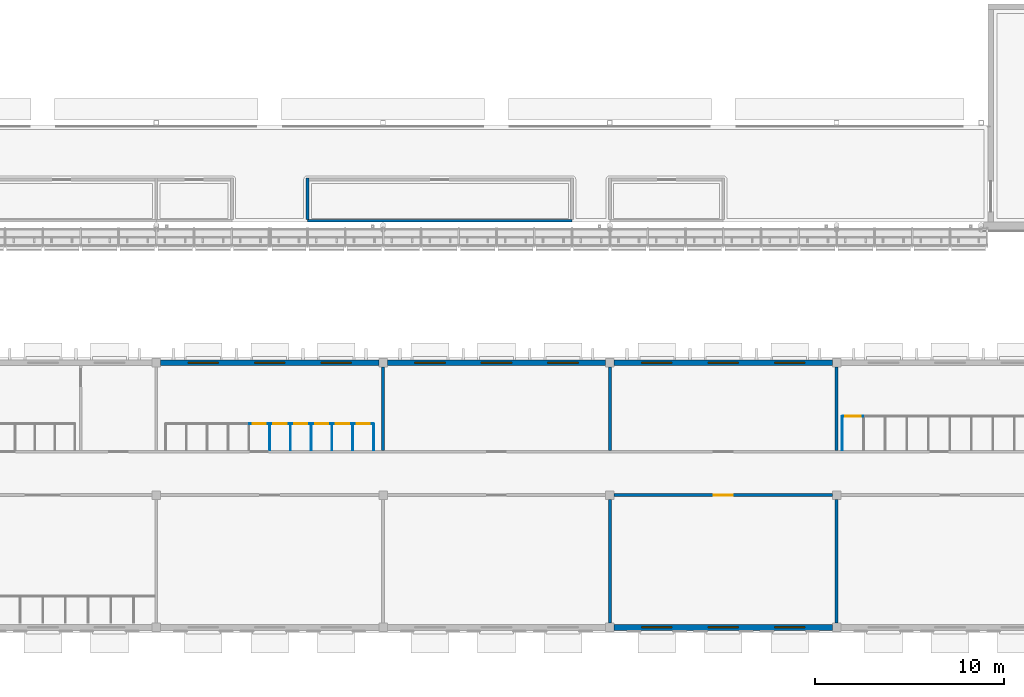
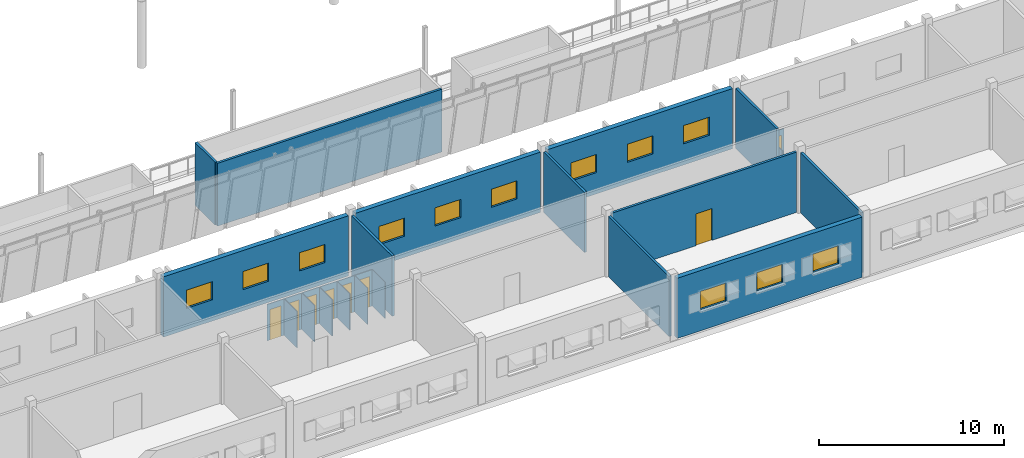
# One storey, part 68 of 115: 26 walls, 12 windows, 8 doors, 20 openings.
"""IFC4 building model written with IfcOpenShell, lengths in metres."""

from ifc_helpers import new_model, si_unit, direction, frame, frame_2d, origin, place, context, subcontext, project, spatial, rectangle, extrude, material, layer, layer_set, type_object, element, fill, save


model = new_model("IFC4")

# Units and contexts
model_context = context("Model", 3, precision=1e-05, world=origin(), true_north=direction((0.0, 1.0)))
body_context = subcontext(model_context, "Body", "Model", "MODEL_VIEW")
ifc_project = project(units=[si_unit("LENGTHUNIT", "METRE"), si_unit("AREAUNIT", "SQUARE_METRE"), si_unit("VOLUMEUNIT", "CUBIC_METRE"), si_unit("PLANEANGLEUNIT", "RADIAN"), si_unit("MASSUNIT", "GRAM", prefix="KILO")], contexts=[model_context])

# Site, building, storey
site_placement = place(None, origin())
site = spatial("IfcSite", under=ifc_project, at=site_placement, CompositionType="ELEMENT")
building_placement = place(site_placement, origin())
building = spatial("IfcBuilding", under=site, at=building_placement, Name="Windward Yard Aquatics Centre", CompositionType="ELEMENT")
storey_placement = place(building_placement, frame((0.0, 0.0, 5.0)))
storey = spatial("IfcBuildingStorey", under=building, at=storey_placement, Name="L01", CompositionType="ELEMENT", Elevation=5.0)

# Wall, opening, door
ifc_material_1 = material(Name="Concrete masonry unit plastered", Category="masonry")
ifc_layer_1 = layer(ifc_material_1, 0.14990234375)
ifc_layer_set_1 = layer_set([ifc_layer_1], Name="C block partition 150")
wall_type_1 = type_object("IfcWallType", Name="C block partition 150", PredefinedType="PARTITIONING", material=ifc_layer_set_1)
wall_1_placement = place(storey_placement, frame((120.22509765625, 12.0, 0.0), z_axis=(0.0, 0.0, 1.0), x_axis=(1.0, 0.0, 0.0)))
wall_1 = element("IfcWall", 1, at=wall_1_placement, inside=storey, type_object=wall_type_1, Name="C.W.L01.SP.S.7", PredefinedType="PARTITIONING", context=body_context, shape_type="SweptSolid", body=[
    extrude(rectangle(XDim=11.5498046875, YDim=0.14990234375, at=frame_2d((5.77490234375, 0.0))), origin(), (0.0, 0.0, 1.0), 3.97998046875),
])
opening_1_placement = place(wall_1_placement, frame((5.27490234375, 0.0, 0.0)))
opening_1 = element("IfcOpeningElement", 2, at=opening_1_placement, cuts=wall_1, Name="Opening C1006", PredefinedType="OPENING", context=body_context, shape_type="SweptSolid", body=[
    extrude(rectangle(XDim=1.0, YDim=2.10009765625, at=frame_2d((0.5, 1.050048828125))), frame((0.0, 0.0849609375, 0.0), z_axis=(0.0, -1.0, 0.0), x_axis=(1.0, 0.0, 0.0)), (0.0, 0.0, 1.0), 0.169921875),
])
ifc_material_2 = material(Name="Timber door leaf in steel frame", Category="steel")
door_type_1 = type_object("IfcDoorType", Name="C door 1000X2100 FD30S", OperationType="SINGLE_SWING_LEFT", PredefinedType="DOOR", material=ifc_material_2)
door_1_placement = place(opening_1_placement, origin())
door_1 = element("IfcDoor", 3, at=door_1_placement, inside=storey, type_object=door_type_1, Name="Door C1006", OperationType="SINGLE_SWING_LEFT", OverallHeight=2.10009765625, OverallWidth=1.0, PredefinedType="DOOR", context=body_context, shape_type="SweptSolid", body=[
    extrude(rectangle(XDim=1.0, YDim=2.10009765625, at=frame_2d((0.5, 1.050048828125))), frame((0.0, 0.02490234375, 0.0), z_axis=(0.0, -1.0, 0.0), x_axis=(1.0, 0.0, 0.0)), (0.0, 0.0, 1.0), 0.050048828125),
])
fill(opening_1, door_1)

# Walls
for number, where, z_axis, x_axis, name in (
    (4, (120.0, 5.22509765625, 0.0), (0.0, 0.0, 1.0), (0.0, 1.0, 0.0), "C.W.L01.SD.68.1"),
    (5, (132.0, 5.22509765625, 0.0), (0.0, 0.0, 1.0), (0.0, 1.0, 0.0), "C.W.L01.SD.80.1"),
):
    element("IfcWall", number, at=place(storey_placement, frame(where, z_axis=z_axis, x_axis=x_axis)), inside=storey, type_object=wall_type_1, Name=name, PredefinedType="PARTITIONING", context=body_context, shape_type="SweptSolid", body=[
        extrude(rectangle(XDim=6.5498046875, YDim=0.14990234375, at=frame_2d((3.27490234375, 0.0))), origin(), (0.0, 0.0, 1.0), 3.97998046875),
    ])
for number, where, z_axis, x_axis, name in (
    (6, (108.0, 14.375, 0.0), (0.0, 0.0, 1.0), (0.0, 1.0, 0.0), "C.W.L01.ND.56.1"),
    (7, (120.0, 14.375, 0.0), (0.0, 0.0, 1.0), (0.0, 1.0, 0.0), "C.W.L01.ND.68.1"),
    (8, (132.0, 14.375, 0.0), (0.0, 0.0, 1.0), (0.0, 1.0, 0.0), "C.W.L01.ND.80.1"),
):
    element("IfcWall", number, at=place(storey_placement, frame(where, z_axis=z_axis, x_axis=x_axis)), inside=storey, type_object=wall_type_1, Name=name, PredefinedType="PARTITIONING", context=body_context, shape_type="SweptSolid", body=[
        extrude(rectangle(XDim=4.39990234375, YDim=0.14990234375, at=frame_2d((2.199951171875, 0.0))), origin(), (0.0, 0.0, 1.0), 3.97998046875),
    ])
ifc_material_3 = material(Name="High-pressure laminate panel on stainless frame")
ifc_layer_2 = layer(ifc_material_3, 0.0400390625)
ifc_layer_set_2 = layer_set([ifc_layer_2], Name="C cubicle panel 40")
wall_type_2 = type_object("IfcWallType", Name="C cubicle panel 40", PredefinedType="PARTITIONING", material=ifc_layer_set_2)
for number, where, z_axis, x_axis, name in (
    (9, (102.0, 14.375, 0.0), (0.0, 0.0, 1.0), (0.0, 1.0, 0.0), "C.W.L01.G.P5"),
    (10, (103.10009765625, 14.375, 0.0), (0.0, 0.0, 1.0), (0.0, 1.0, 0.0), "C.W.L01.G.P6"),
    (11, (104.199951171875, 14.375, 0.0), (0.0, 0.0, 1.0), (0.0, 1.0, 0.0), "C.W.L01.G.P7"),
    (12, (105.300048828125, 14.375, 0.0), (0.0, 0.0, 1.0), (0.0, 1.0, 0.0), "C.W.L01.G.P8"),
    (13, (106.39990234375, 14.375, 0.0), (0.0, 0.0, 1.0), (0.0, 1.0, 0.0), "C.W.L01.G.P9"),
    (14, (107.5, 14.375, 0.0), (0.0, 0.0, 1.0), (0.0, 1.0, 0.0), "C.W.L01.G.P10"),
):
    element("IfcWall", number, at=place(storey_placement, frame(where, z_axis=z_axis, x_axis=x_axis)), inside=storey, type_object=wall_type_2, Name=name, PredefinedType="PARTITIONING", context=body_context, shape_type="SweptSolid", body=[
        extrude(rectangle(XDim=1.39990234375, YDim=0.0400390625, at=frame_2d((0.699951171875, 0.0))), origin(), (0.0, 0.0, 1.0), 2.39990234375),
    ])

# Wall, opening, door
wall_2_placement = place(storey_placement, frame((100.919921875, 15.77490234375, 0.0), z_axis=(0.0, 0.0, 1.0), x_axis=(1.0, 0.0, 0.0)))
wall_2 = element("IfcWall", 15, at=wall_2_placement, inside=storey, type_object=wall_type_2, Name="C.W.L01.G.F4", PredefinedType="PARTITIONING", context=body_context, shape_type="SweptSolid", body=[
    extrude(rectangle(XDim=1.06005859375, YDim=0.0400390625, at=frame_2d((0.530029296875, 0.0))), origin(), (0.0, 0.0, 1.0), 2.39990234375),
])
opening_2_placement = place(wall_2_placement, frame((0.179931640625, 0.0, 0.0)))
opening_2 = element("IfcOpeningElement", 16, at=opening_2_placement, cuts=wall_2, Name="Opening C1085", PredefinedType="OPENING", context=body_context, shape_type="SweptSolid", body=[
    extrude(rectangle(XDim=0.699951171875, YDim=2.0, at=frame_2d((0.35009765625, 1.0))), frame((0.0, 0.030029296875, 0.0), z_axis=(0.0, -1.0, 0.0), x_axis=(1.0, 0.0, 0.0)), (0.0, 0.0, 1.0), 0.06005859375),
])
ifc_material_4 = material(Name="High-pressure laminate door leaf")
door_type_2 = type_object("IfcDoorType", Name="C door 700X2000 NOT RATED", OperationType="SINGLE_SWING_LEFT", PredefinedType="DOOR", material=ifc_material_4)
door_2_placement = place(opening_2_placement, origin())
door_2 = element("IfcDoor", 17, at=door_2_placement, inside=storey, type_object=door_type_2, Name="Cubicle door G5", OperationType="SINGLE_SWING_LEFT", OverallHeight=2.0, OverallWidth=0.699951171875, PredefinedType="DOOR", context=body_context, shape_type="SweptSolid", body=[
    extrude(rectangle(XDim=0.699951171875, YDim=2.0, at=frame_2d((0.35009765625, 1.0))), frame((0.0, 0.019775390625, 0.0), z_axis=(0.0, -1.0, 0.0), x_axis=(1.0, 0.0, 0.0)), (0.0, 0.0, 1.0), 0.03955078125),
])
fill(opening_2, door_2)

wall_3_placement = place(storey_placement, frame((102.02001953125, 15.77490234375, 0.0), z_axis=(0.0, 0.0, 1.0), x_axis=(1.0, 0.0, 0.0)))
wall_3 = element("IfcWall", 18, at=wall_3_placement, inside=storey, type_object=wall_type_2, Name="C.W.L01.G.F5", PredefinedType="PARTITIONING", context=body_context, shape_type="SweptSolid", body=[
    extrude(rectangle(XDim=1.06005859375, YDim=0.0400390625, at=frame_2d((0.530029296875, 0.0))), origin(), (0.0, 0.0, 1.0), 2.39990234375),
])
opening_3_placement = place(wall_3_placement, frame((0.179931640625, 0.0, 0.0)))
opening_3 = element("IfcOpeningElement", 19, at=opening_3_placement, cuts=wall_3, Name="Opening C1086", PredefinedType="OPENING", context=body_context, shape_type="SweptSolid", body=[
    extrude(rectangle(XDim=0.699951171875, YDim=2.0, at=frame_2d((0.35009765625, 1.0))), frame((0.0, 0.030029296875, 0.0), z_axis=(0.0, -1.0, 0.0), x_axis=(1.0, 0.0, 0.0)), (0.0, 0.0, 1.0), 0.06005859375),
])
door_3_placement = place(opening_3_placement, origin())
door_3 = element("IfcDoor", 20, at=door_3_placement, inside=storey, type_object=door_type_2, Name="Cubicle door G6", OperationType="SINGLE_SWING_LEFT", OverallHeight=2.0, OverallWidth=0.699951171875, PredefinedType="DOOR", context=body_context, shape_type="SweptSolid", body=[
    extrude(rectangle(XDim=0.699951171875, YDim=2.0, at=frame_2d((0.35009765625, 1.0))), frame((0.0, 0.019775390625, 0.0), z_axis=(0.0, -1.0, 0.0), x_axis=(1.0, 0.0, 0.0)), (0.0, 0.0, 1.0), 0.03955078125),
])
fill(opening_3, door_3)

wall_4_placement = place(storey_placement, frame((103.1201171875, 15.77490234375, 0.0), z_axis=(0.0, 0.0, 1.0), x_axis=(1.0, 0.0, 0.0)))
wall_4 = element("IfcWall", 21, at=wall_4_placement, inside=storey, type_object=wall_type_2, Name="C.W.L01.G.F6", PredefinedType="PARTITIONING", context=body_context, shape_type="SweptSolid", body=[
    extrude(rectangle(XDim=1.059814453125, YDim=0.0400390625, at=frame_2d((0.52978515625, 0.0))), origin(), (0.0, 0.0, 1.0), 2.39990234375),
])
opening_4_placement = place(wall_4_placement, frame((0.179931640625, 0.0, 0.0)))
opening_4 = element("IfcOpeningElement", 22, at=opening_4_placement, cuts=wall_4, Name="Opening C1087", PredefinedType="OPENING", context=body_context, shape_type="SweptSolid", body=[
    extrude(rectangle(XDim=0.699951171875, YDim=2.0, at=frame_2d((0.35009765625, 1.0))), frame((0.0, 0.030029296875, 0.0), z_axis=(0.0, -1.0, 0.0), x_axis=(1.0, 0.0, 0.0)), (0.0, 0.0, 1.0), 0.06005859375),
])
door_4_placement = place(opening_4_placement, origin())
door_4 = element("IfcDoor", 23, at=door_4_placement, inside=storey, type_object=door_type_2, Name="Cubicle door G7", OperationType="SINGLE_SWING_LEFT", OverallHeight=2.0, OverallWidth=0.699951171875, PredefinedType="DOOR", context=body_context, shape_type="SweptSolid", body=[
    extrude(rectangle(XDim=0.699951171875, YDim=2.0, at=frame_2d((0.35009765625, 1.0))), frame((0.0, 0.019775390625, 0.0), z_axis=(0.0, -1.0, 0.0), x_axis=(1.0, 0.0, 0.0)), (0.0, 0.0, 1.0), 0.03955078125),
])
fill(opening_4, door_4)

wall_5_placement = place(storey_placement, frame((104.219970703125, 15.77490234375, 0.0), z_axis=(0.0, 0.0, 1.0), x_axis=(1.0, 0.0, 0.0)))
wall_5 = element("IfcWall", 24, at=wall_5_placement, inside=storey, type_object=wall_type_2, Name="C.W.L01.G.F7", PredefinedType="PARTITIONING", context=body_context, shape_type="SweptSolid", body=[
    extrude(rectangle(XDim=1.06005859375, YDim=0.0400390625, at=frame_2d((0.530029296875, 0.0))), origin(), (0.0, 0.0, 1.0), 2.39990234375),
])
opening_5_placement = place(wall_5_placement, frame((0.179931640625, 0.0, 0.0)))
opening_5 = element("IfcOpeningElement", 25, at=opening_5_placement, cuts=wall_5, Name="Opening C1088", PredefinedType="OPENING", context=body_context, shape_type="SweptSolid", body=[
    extrude(rectangle(XDim=0.699951171875, YDim=2.0, at=frame_2d((0.35009765625, 1.0))), frame((0.0, 0.030029296875, 0.0), z_axis=(0.0, -1.0, 0.0), x_axis=(1.0, 0.0, 0.0)), (0.0, 0.0, 1.0), 0.06005859375),
])
door_5_placement = place(opening_5_placement, origin())
door_5 = element("IfcDoor", 26, at=door_5_placement, inside=storey, type_object=door_type_2, Name="Cubicle door G8", OperationType="SINGLE_SWING_LEFT", OverallHeight=2.0, OverallWidth=0.699951171875, PredefinedType="DOOR", context=body_context, shape_type="SweptSolid", body=[
    extrude(rectangle(XDim=0.699951171875, YDim=2.0, at=frame_2d((0.35009765625, 1.0))), frame((0.0, 0.019775390625, 0.0), z_axis=(0.0, -1.0, 0.0), x_axis=(1.0, 0.0, 0.0)), (0.0, 0.0, 1.0), 0.03955078125),
])
fill(opening_5, door_5)

wall_6_placement = place(storey_placement, frame((105.320068359375, 15.77490234375, 0.0), z_axis=(0.0, 0.0, 1.0), x_axis=(1.0, 0.0, 0.0)))
wall_6 = element("IfcWall", 27, at=wall_6_placement, inside=storey, type_object=wall_type_2, Name="C.W.L01.G.F8", PredefinedType="PARTITIONING", context=body_context, shape_type="SweptSolid", body=[
    extrude(rectangle(XDim=1.059814453125, YDim=0.0400390625, at=frame_2d((0.52978515625, 0.0))), origin(), (0.0, 0.0, 1.0), 2.39990234375),
])
opening_6_placement = place(wall_6_placement, frame((0.179931640625, 0.0, 0.0)))
opening_6 = element("IfcOpeningElement", 28, at=opening_6_placement, cuts=wall_6, Name="Opening C1089", PredefinedType="OPENING", context=body_context, shape_type="SweptSolid", body=[
    extrude(rectangle(XDim=0.699951171875, YDim=2.0, at=frame_2d((0.35009765625, 1.0))), frame((0.0, 0.030029296875, 0.0), z_axis=(0.0, -1.0, 0.0), x_axis=(1.0, 0.0, 0.0)), (0.0, 0.0, 1.0), 0.06005859375),
])
door_6_placement = place(opening_6_placement, origin())
door_6 = element("IfcDoor", 29, at=door_6_placement, inside=storey, type_object=door_type_2, Name="Cubicle door G9", OperationType="SINGLE_SWING_LEFT", OverallHeight=2.0, OverallWidth=0.699951171875, PredefinedType="DOOR", context=body_context, shape_type="SweptSolid", body=[
    extrude(rectangle(XDim=0.699951171875, YDim=2.0, at=frame_2d((0.35009765625, 1.0))), frame((0.0, 0.019775390625, 0.0), z_axis=(0.0, -1.0, 0.0), x_axis=(1.0, 0.0, 0.0)), (0.0, 0.0, 1.0), 0.03955078125),
])
fill(opening_6, door_6)

wall_7_placement = place(storey_placement, frame((106.419921875, 15.77490234375, 0.0), z_axis=(0.0, 0.0, 1.0), x_axis=(1.0, 0.0, 0.0)))
wall_7 = element("IfcWall", 30, at=wall_7_placement, inside=storey, type_object=wall_type_2, Name="C.W.L01.G.F9", PredefinedType="PARTITIONING", context=body_context, shape_type="SweptSolid", body=[
    extrude(rectangle(XDim=1.06005859375, YDim=0.0400390625, at=frame_2d((0.530029296875, 0.0))), origin(), (0.0, 0.0, 1.0), 2.39990234375),
])
opening_7_placement = place(wall_7_placement, frame((0.179931640625, 0.0, 0.0)))
opening_7 = element("IfcOpeningElement", 31, at=opening_7_placement, cuts=wall_7, Name="Opening C1090", PredefinedType="OPENING", context=body_context, shape_type="SweptSolid", body=[
    extrude(rectangle(XDim=0.699951171875, YDim=2.0, at=frame_2d((0.35009765625, 1.0))), frame((0.0, 0.030029296875, 0.0), z_axis=(0.0, -1.0, 0.0), x_axis=(1.0, 0.0, 0.0)), (0.0, 0.0, 1.0), 0.06005859375),
])
door_7_placement = place(opening_7_placement, origin())
door_7 = element("IfcDoor", 32, at=door_7_placement, inside=storey, type_object=door_type_2, Name="Cubicle door G10", OperationType="SINGLE_SWING_LEFT", OverallHeight=2.0, OverallWidth=0.699951171875, PredefinedType="DOOR", context=body_context, shape_type="SweptSolid", body=[
    extrude(rectangle(XDim=0.699951171875, YDim=2.0, at=frame_2d((0.35009765625, 1.0))), frame((0.0, 0.019775390625, 0.0), z_axis=(0.0, -1.0, 0.0), x_axis=(1.0, 0.0, 0.0)), (0.0, 0.0, 1.0), 0.03955078125),
])
fill(opening_7, door_7)

# Wall
wall_8_placement = place(storey_placement, frame((132.300048828125, 14.375, 0.0), z_axis=(0.0, 0.0, 1.0), x_axis=(0.0, 1.0, 0.0)))
element("IfcWall", 33, at=wall_8_placement, inside=storey, type_object=wall_type_2, Name="C.W.L01.H.P0", PredefinedType="PARTITIONING", context=body_context, shape_type="SweptSolid", body=[
    extrude(rectangle(XDim=1.800048828125, YDim=0.0400390625, at=frame_2d((0.89990234375, 0.0))), origin(), (0.0, 0.0, 1.0), 2.39990234375),
])

# Wall, opening, door
wall_9_placement = place(storey_placement, frame((132.320068359375, 16.175048828125, 0.0), z_axis=(0.0, 0.0, 1.0), x_axis=(1.0, 0.0, 0.0)))
wall_9 = element("IfcWall", 34, at=wall_9_placement, inside=storey, type_object=wall_type_2, Name="C.W.L01.H.F0", PredefinedType="PARTITIONING", context=body_context, shape_type="SweptSolid", body=[
    extrude(rectangle(XDim=1.099853515625, YDim=0.0400390625, at=frame_2d((0.5498046875, 0.0))), origin(), (0.0, 0.0, 1.0), 2.39990234375),
])
opening_8_placement = place(wall_9_placement, frame((0.14990234375, 0.0, 0.0)))
opening_8 = element("IfcOpeningElement", 35, at=opening_8_placement, cuts=wall_9, Name="Opening C1091", PredefinedType="OPENING", context=body_context, shape_type="SweptSolid", body=[
    extrude(rectangle(XDim=0.800048828125, YDim=2.0, at=frame_2d((0.39990234375, 1.0))), frame((0.0, 0.030029296875, 0.0), z_axis=(0.0, -1.0, 0.0), x_axis=(1.0, 0.0, 0.0)), (0.0, 0.0, 1.0), 0.06005859375),
])
door_type_3 = type_object("IfcDoorType", Name="C door 800X2000 NOT RATED", OperationType="SINGLE_SWING_LEFT", PredefinedType="DOOR", material=ifc_material_4)
door_8_placement = place(opening_8_placement, origin())
door_8 = element("IfcDoor", 36, at=door_8_placement, inside=storey, type_object=door_type_3, Name="Cubicle door H1", OperationType="SINGLE_SWING_LEFT", OverallHeight=2.0, OverallWidth=0.800048828125, PredefinedType="DOOR", context=body_context, shape_type="SweptSolid", body=[
    extrude(rectangle(XDim=0.800048828125, YDim=2.0, at=frame_2d((0.39990234375, 1.0))), frame((0.0, 0.019775390625, 0.0), z_axis=(0.0, -1.0, 0.0), x_axis=(1.0, 0.0, 0.0)), (0.0, 0.0, 1.0), 0.03955078125),
])
fill(opening_8, door_8)

# Wall, openings, windows
ifc_material_5 = material(Name="Natural stone cladding", Category="masonry")
ifc_layer_3 = layer(ifc_material_5, 0.04, Name="Cladding")
ifc_material_6 = material(Name="Ventilated air cavity")
ifc_layer_4 = layer(ifc_material_6, 0.04, ventilated=True, Name="Ventilated cavity")
ifc_material_7 = material(Name="Mineral wool insulation")
ifc_layer_5 = layer(ifc_material_7, 0.06, Name="Insulation")
ifc_material_8 = material(Name="Concrete C35/45", Category="concrete")
ifc_layer_6 = layer(ifc_material_8, 0.16, Name="Structure")
ifc_layer_set_3 = layer_set([ifc_layer_3, ifc_layer_4, ifc_layer_5, ifc_layer_6], Name="C stone-faced external wall 300")
wall_type_3 = type_object("IfcWallType", Name="C stone-faced external wall 300", PredefinedType="ELEMENTEDWALL", material=ifc_layer_set_3)
wall_10_placement = place(storey_placement, frame((120.22509765625, 5.0, 0.0), z_axis=(0.0, 0.0, 1.0), x_axis=(1.0, 0.0, 0.0)))
wall_10 = element("IfcWall", 37, at=wall_10_placement, inside=storey, type_object=wall_type_3, Name="C.W.L01.S7", PredefinedType="ELEMENTEDWALL", context=body_context, shape_type="SweptSolid", body=[
    extrude(rectangle(XDim=11.5498046875, YDim=0.300048828125, at=frame_2d((5.77490234375, 0.0))), origin(), (0.0, 0.0, 1.0), 3.97998046875),
])
opening_9_placement = place(wall_10_placement, frame((1.458251953125, 0.0, 1.39990234375)))
opening_9 = element("IfcOpeningElement", 38, at=opening_9_placement, cuts=wall_10, Name="Opening CW1016", PredefinedType="OPENING", context=body_context, shape_type="SweptSolid", body=[
    extrude(rectangle(XDim=1.60009765625, YDim=1.199951171875, at=frame_2d((0.800048828125, 0.60009765625))), frame((0.0, 0.16015625, 0.0), z_axis=(0.0, -1.0, 0.0), x_axis=(1.0, 0.0, 0.0)), (0.0, 0.0, 1.0), 0.320068359375),
])
opening_10_placement = place(wall_10_placement, frame((4.97509765625, 0.0, 1.39990234375)))
opening_10 = element("IfcOpeningElement", 39, at=opening_10_placement, cuts=wall_10, Name="Opening CW1017", PredefinedType="OPENING", context=body_context, shape_type="SweptSolid", body=[
    extrude(rectangle(XDim=1.60009765625, YDim=1.199951171875, at=frame_2d((0.800048828125, 0.60009765625))), frame((0.0, 0.16015625, 0.0), z_axis=(0.0, -1.0, 0.0), x_axis=(1.0, 0.0, 0.0)), (0.0, 0.0, 1.0), 0.320068359375),
])
opening_11_placement = place(wall_10_placement, frame((8.49169921875, 0.0, 1.39990234375)))
opening_11 = element("IfcOpeningElement", 40, at=opening_11_placement, cuts=wall_10, Name="Opening CW1018", PredefinedType="OPENING", context=body_context, shape_type="SweptSolid", body=[
    extrude(rectangle(XDim=1.60009765625, YDim=1.199951171875, at=frame_2d((0.800048828125, 0.60009765625))), frame((0.0, 0.16015625, 0.0), z_axis=(0.0, -1.0, 0.0), x_axis=(1.0, 0.0, 0.0)), (0.0, 0.0, 1.0), 0.320068359375),
])
ifc_material_9 = material(Name="Aluminium framed double glazing", Category="aluminium")
window_type = type_object("IfcWindowType", Name="C window 1600X1200", PartitioningType="SINGLE_PANEL", PredefinedType="WINDOW", material=ifc_material_9)
window_1_placement = place(opening_9_placement, origin())
window_1 = element("IfcWindow", 41, at=window_1_placement, inside=storey, type_object=window_type, Name="Window CW1016", OverallHeight=1.199951171875, OverallWidth=1.60009765625, PartitioningType="SINGLE_PANEL", PredefinedType="WINDOW", context=body_context, shape_type="SweptSolid", body=[
    extrude(rectangle(XDim=1.60009765625, YDim=1.199951171875, at=frame_2d((0.800048828125, 0.60009765625))), frame((0.0, 0.030029296875, 0.0), z_axis=(0.0, -1.0, 0.0), x_axis=(1.0, 0.0, 0.0)), (0.0, 0.0, 1.0), 0.06005859375),
])
fill(opening_9, window_1)
window_2_placement = place(opening_10_placement, origin())
window_2 = element("IfcWindow", 42, at=window_2_placement, inside=storey, type_object=window_type, Name="Window CW1017", OverallHeight=1.199951171875, OverallWidth=1.60009765625, PartitioningType="SINGLE_PANEL", PredefinedType="WINDOW", context=body_context, shape_type="SweptSolid", body=[
    extrude(rectangle(XDim=1.60009765625, YDim=1.199951171875, at=frame_2d((0.800048828125, 0.60009765625))), frame((0.0, 0.030029296875, 0.0), z_axis=(0.0, -1.0, 0.0), x_axis=(1.0, 0.0, 0.0)), (0.0, 0.0, 1.0), 0.06005859375),
])
fill(opening_10, window_2)
window_3_placement = place(opening_11_placement, origin())
window_3 = element("IfcWindow", 43, at=window_3_placement, inside=storey, type_object=window_type, Name="Window CW1018", OverallHeight=1.199951171875, OverallWidth=1.60009765625, PartitioningType="SINGLE_PANEL", PredefinedType="WINDOW", context=body_context, shape_type="SweptSolid", body=[
    extrude(rectangle(XDim=1.60009765625, YDim=1.199951171875, at=frame_2d((0.800048828125, 0.60009765625))), frame((0.0, 0.030029296875, 0.0), z_axis=(0.0, -1.0, 0.0), x_axis=(1.0, 0.0, 0.0)), (0.0, 0.0, 1.0), 0.06005859375),
])
fill(opening_11, window_3)

wall_11_placement = place(storey_placement, frame((96.22509765625, 19.0, 0.0), z_axis=(0.0, 0.0, 1.0), x_axis=(1.0, 0.0, 0.0)))
wall_11 = element("IfcWall", 44, at=wall_11_placement, inside=storey, type_object=wall_type_3, Name="C.W.L01.N5", PredefinedType="ELEMENTEDWALL", context=body_context, shape_type="SweptSolid", body=[
    extrude(rectangle(XDim=11.5498046875, YDim=0.300048828125, at=frame_2d((5.77490234375, 0.0))), origin(), (0.0, 0.0, 1.0), 3.97998046875),
])
opening_12_placement = place(wall_11_placement, frame((1.458251953125, 0.0, 1.39990234375)))
opening_12 = element("IfcOpeningElement", 45, at=opening_12_placement, cuts=wall_11, Name="Opening CW1031", PredefinedType="OPENING", context=body_context, shape_type="SweptSolid", body=[
    extrude(rectangle(XDim=1.60009765625, YDim=1.199951171875, at=frame_2d((0.800048828125, 0.60009765625))), frame((0.0, 0.16015625, 0.0), z_axis=(0.0, -1.0, 0.0), x_axis=(1.0, 0.0, 0.0)), (0.0, 0.0, 1.0), 0.320068359375),
])
opening_13_placement = place(wall_11_placement, frame((4.97509765625, 0.0, 1.39990234375)))
opening_13 = element("IfcOpeningElement", 46, at=opening_13_placement, cuts=wall_11, Name="Opening CW1032", PredefinedType="OPENING", context=body_context, shape_type="SweptSolid", body=[
    extrude(rectangle(XDim=1.60009765625, YDim=1.199951171875, at=frame_2d((0.800048828125, 0.60009765625))), frame((0.0, 0.16015625, 0.0), z_axis=(0.0, -1.0, 0.0), x_axis=(1.0, 0.0, 0.0)), (0.0, 0.0, 1.0), 0.320068359375),
])
opening_14_placement = place(wall_11_placement, frame((8.49169921875, 0.0, 1.39990234375)))
opening_14 = element("IfcOpeningElement", 47, at=opening_14_placement, cuts=wall_11, Name="Opening CW1033", PredefinedType="OPENING", context=body_context, shape_type="SweptSolid", body=[
    extrude(rectangle(XDim=1.60009765625, YDim=1.199951171875, at=frame_2d((0.800048828125, 0.60009765625))), frame((0.0, 0.16015625, 0.0), z_axis=(0.0, -1.0, 0.0), x_axis=(1.0, 0.0, 0.0)), (0.0, 0.0, 1.0), 0.320068359375),
])
window_4_placement = place(opening_12_placement, origin())
window_4 = element("IfcWindow", 48, at=window_4_placement, inside=storey, type_object=window_type, Name="Window CW1031", OverallHeight=1.199951171875, OverallWidth=1.60009765625, PartitioningType="SINGLE_PANEL", PredefinedType="WINDOW", context=body_context, shape_type="SweptSolid", body=[
    extrude(rectangle(XDim=1.60009765625, YDim=1.199951171875, at=frame_2d((0.800048828125, 0.60009765625))), frame((0.0, 0.030029296875, 0.0), z_axis=(0.0, -1.0, 0.0), x_axis=(1.0, 0.0, 0.0)), (0.0, 0.0, 1.0), 0.06005859375),
])
fill(opening_12, window_4)
window_5_placement = place(opening_13_placement, origin())
window_5 = element("IfcWindow", 49, at=window_5_placement, inside=storey, type_object=window_type, Name="Window CW1032", OverallHeight=1.199951171875, OverallWidth=1.60009765625, PartitioningType="SINGLE_PANEL", PredefinedType="WINDOW", context=body_context, shape_type="SweptSolid", body=[
    extrude(rectangle(XDim=1.60009765625, YDim=1.199951171875, at=frame_2d((0.800048828125, 0.60009765625))), frame((0.0, 0.030029296875, 0.0), z_axis=(0.0, -1.0, 0.0), x_axis=(1.0, 0.0, 0.0)), (0.0, 0.0, 1.0), 0.06005859375),
])
fill(opening_13, window_5)
window_6_placement = place(opening_14_placement, origin())
window_6 = element("IfcWindow", 50, at=window_6_placement, inside=storey, type_object=window_type, Name="Window CW1033", OverallHeight=1.199951171875, OverallWidth=1.60009765625, PartitioningType="SINGLE_PANEL", PredefinedType="WINDOW", context=body_context, shape_type="SweptSolid", body=[
    extrude(rectangle(XDim=1.60009765625, YDim=1.199951171875, at=frame_2d((0.800048828125, 0.60009765625))), frame((0.0, 0.030029296875, 0.0), z_axis=(0.0, -1.0, 0.0), x_axis=(1.0, 0.0, 0.0)), (0.0, 0.0, 1.0), 0.06005859375),
])
fill(opening_14, window_6)

wall_12_placement = place(storey_placement, frame((108.22509765625, 19.0, 0.0), z_axis=(0.0, 0.0, 1.0), x_axis=(1.0, 0.0, 0.0)))
wall_12 = element("IfcWall", 51, at=wall_12_placement, inside=storey, type_object=wall_type_3, Name="C.W.L01.N6", PredefinedType="ELEMENTEDWALL", context=body_context, shape_type="SweptSolid", body=[
    extrude(rectangle(XDim=11.5498046875, YDim=0.300048828125, at=frame_2d((5.77490234375, 0.0))), origin(), (0.0, 0.0, 1.0), 3.97998046875),
])
opening_15_placement = place(wall_12_placement, frame((1.458251953125, 0.0, 1.39990234375)))
opening_15 = element("IfcOpeningElement", 52, at=opening_15_placement, cuts=wall_12, Name="Opening CW1034", PredefinedType="OPENING", context=body_context, shape_type="SweptSolid", body=[
    extrude(rectangle(XDim=1.60009765625, YDim=1.199951171875, at=frame_2d((0.800048828125, 0.60009765625))), frame((0.0, 0.16015625, 0.0), z_axis=(0.0, -1.0, 0.0), x_axis=(1.0, 0.0, 0.0)), (0.0, 0.0, 1.0), 0.320068359375),
])
opening_16_placement = place(wall_12_placement, frame((4.97509765625, 0.0, 1.39990234375)))
opening_16 = element("IfcOpeningElement", 53, at=opening_16_placement, cuts=wall_12, Name="Opening CW1035", PredefinedType="OPENING", context=body_context, shape_type="SweptSolid", body=[
    extrude(rectangle(XDim=1.60009765625, YDim=1.199951171875, at=frame_2d((0.800048828125, 0.60009765625))), frame((0.0, 0.16015625, 0.0), z_axis=(0.0, -1.0, 0.0), x_axis=(1.0, 0.0, 0.0)), (0.0, 0.0, 1.0), 0.320068359375),
])
opening_17_placement = place(wall_12_placement, frame((8.49169921875, 0.0, 1.39990234375)))
opening_17 = element("IfcOpeningElement", 54, at=opening_17_placement, cuts=wall_12, Name="Opening CW1036", PredefinedType="OPENING", context=body_context, shape_type="SweptSolid", body=[
    extrude(rectangle(XDim=1.60009765625, YDim=1.199951171875, at=frame_2d((0.800048828125, 0.60009765625))), frame((0.0, 0.16015625, 0.0), z_axis=(0.0, -1.0, 0.0), x_axis=(1.0, 0.0, 0.0)), (0.0, 0.0, 1.0), 0.320068359375),
])
window_7_placement = place(opening_15_placement, origin())
window_7 = element("IfcWindow", 55, at=window_7_placement, inside=storey, type_object=window_type, Name="Window CW1034", OverallHeight=1.199951171875, OverallWidth=1.60009765625, PartitioningType="SINGLE_PANEL", PredefinedType="WINDOW", context=body_context, shape_type="SweptSolid", body=[
    extrude(rectangle(XDim=1.60009765625, YDim=1.199951171875, at=frame_2d((0.800048828125, 0.60009765625))), frame((0.0, 0.030029296875, 0.0), z_axis=(0.0, -1.0, 0.0), x_axis=(1.0, 0.0, 0.0)), (0.0, 0.0, 1.0), 0.06005859375),
])
fill(opening_15, window_7)
window_8_placement = place(opening_16_placement, origin())
window_8 = element("IfcWindow", 56, at=window_8_placement, inside=storey, type_object=window_type, Name="Window CW1035", OverallHeight=1.199951171875, OverallWidth=1.60009765625, PartitioningType="SINGLE_PANEL", PredefinedType="WINDOW", context=body_context, shape_type="SweptSolid", body=[
    extrude(rectangle(XDim=1.60009765625, YDim=1.199951171875, at=frame_2d((0.800048828125, 0.60009765625))), frame((0.0, 0.030029296875, 0.0), z_axis=(0.0, -1.0, 0.0), x_axis=(1.0, 0.0, 0.0)), (0.0, 0.0, 1.0), 0.06005859375),
])
fill(opening_16, window_8)
window_9_placement = place(opening_17_placement, origin())
window_9 = element("IfcWindow", 57, at=window_9_placement, inside=storey, type_object=window_type, Name="Window CW1036", OverallHeight=1.199951171875, OverallWidth=1.60009765625, PartitioningType="SINGLE_PANEL", PredefinedType="WINDOW", context=body_context, shape_type="SweptSolid", body=[
    extrude(rectangle(XDim=1.60009765625, YDim=1.199951171875, at=frame_2d((0.800048828125, 0.60009765625))), frame((0.0, 0.030029296875, 0.0), z_axis=(0.0, -1.0, 0.0), x_axis=(1.0, 0.0, 0.0)), (0.0, 0.0, 1.0), 0.06005859375),
])
fill(opening_17, window_9)

wall_13_placement = place(storey_placement, frame((120.22509765625, 19.0, 0.0), z_axis=(0.0, 0.0, 1.0), x_axis=(1.0, 0.0, 0.0)))
wall_13 = element("IfcWall", 58, at=wall_13_placement, inside=storey, type_object=wall_type_3, Name="C.W.L01.N7", PredefinedType="ELEMENTEDWALL", context=body_context, shape_type="SweptSolid", body=[
    extrude(rectangle(XDim=11.5498046875, YDim=0.300048828125, at=frame_2d((5.77490234375, 0.0))), origin(), (0.0, 0.0, 1.0), 3.97998046875),
])
opening_18_placement = place(wall_13_placement, frame((1.458251953125, 0.0, 1.39990234375)))
opening_18 = element("IfcOpeningElement", 59, at=opening_18_placement, cuts=wall_13, Name="Opening CW1037", PredefinedType="OPENING", context=body_context, shape_type="SweptSolid", body=[
    extrude(rectangle(XDim=1.60009765625, YDim=1.199951171875, at=frame_2d((0.800048828125, 0.60009765625))), frame((0.0, 0.16015625, 0.0), z_axis=(0.0, -1.0, 0.0), x_axis=(1.0, 0.0, 0.0)), (0.0, 0.0, 1.0), 0.320068359375),
])
opening_19_placement = place(wall_13_placement, frame((4.97509765625, 0.0, 1.39990234375)))
opening_19 = element("IfcOpeningElement", 60, at=opening_19_placement, cuts=wall_13, Name="Opening CW1038", PredefinedType="OPENING", context=body_context, shape_type="SweptSolid", body=[
    extrude(rectangle(XDim=1.60009765625, YDim=1.199951171875, at=frame_2d((0.800048828125, 0.60009765625))), frame((0.0, 0.16015625, 0.0), z_axis=(0.0, -1.0, 0.0), x_axis=(1.0, 0.0, 0.0)), (0.0, 0.0, 1.0), 0.320068359375),
])
opening_20_placement = place(wall_13_placement, frame((8.49169921875, 0.0, 1.39990234375)))
opening_20 = element("IfcOpeningElement", 61, at=opening_20_placement, cuts=wall_13, Name="Opening CW1039", PredefinedType="OPENING", context=body_context, shape_type="SweptSolid", body=[
    extrude(rectangle(XDim=1.60009765625, YDim=1.199951171875, at=frame_2d((0.800048828125, 0.60009765625))), frame((0.0, 0.16015625, 0.0), z_axis=(0.0, -1.0, 0.0), x_axis=(1.0, 0.0, 0.0)), (0.0, 0.0, 1.0), 0.320068359375),
])
window_10_placement = place(opening_18_placement, origin())
window_10 = element("IfcWindow", 62, at=window_10_placement, inside=storey, type_object=window_type, Name="Window CW1037", OverallHeight=1.199951171875, OverallWidth=1.60009765625, PartitioningType="SINGLE_PANEL", PredefinedType="WINDOW", context=body_context, shape_type="SweptSolid", body=[
    extrude(rectangle(XDim=1.60009765625, YDim=1.199951171875, at=frame_2d((0.800048828125, 0.60009765625))), frame((0.0, 0.030029296875, 0.0), z_axis=(0.0, -1.0, 0.0), x_axis=(1.0, 0.0, 0.0)), (0.0, 0.0, 1.0), 0.06005859375),
])
fill(opening_18, window_10)
window_11_placement = place(opening_19_placement, origin())
window_11 = element("IfcWindow", 63, at=window_11_placement, inside=storey, type_object=window_type, Name="Window CW1038", OverallHeight=1.199951171875, OverallWidth=1.60009765625, PartitioningType="SINGLE_PANEL", PredefinedType="WINDOW", context=body_context, shape_type="SweptSolid", body=[
    extrude(rectangle(XDim=1.60009765625, YDim=1.199951171875, at=frame_2d((0.800048828125, 0.60009765625))), frame((0.0, 0.030029296875, 0.0), z_axis=(0.0, -1.0, 0.0), x_axis=(1.0, 0.0, 0.0)), (0.0, 0.0, 1.0), 0.06005859375),
])
fill(opening_19, window_11)
window_12_placement = place(opening_20_placement, origin())
window_12 = element("IfcWindow", 64, at=window_12_placement, inside=storey, type_object=window_type, Name="Window CW1039", OverallHeight=1.199951171875, OverallWidth=1.60009765625, PartitioningType="SINGLE_PANEL", PredefinedType="WINDOW", context=body_context, shape_type="SweptSolid", body=[
    extrude(rectangle(XDim=1.60009765625, YDim=1.199951171875, at=frame_2d((0.800048828125, 0.60009765625))), frame((0.0, 0.030029296875, 0.0), z_axis=(0.0, -1.0, 0.0), x_axis=(1.0, 0.0, 0.0)), (0.0, 0.0, 1.0), 0.06005859375),
])
fill(opening_20, window_12)

# Walls
ifc_material_10 = material(Name="Blockwork 150 mm", Category="masonry")
ifc_layer_7 = layer(ifc_material_10, 0.14990234375)
ifc_layer_set_4 = layer_set([ifc_layer_7], Name="H Partition Blockwork 150")
wall_type_4 = type_object("IfcWallType", Name="H Partition Blockwork 150", PredefinedType="PARTITIONING", material=ifc_layer_set_4)
wall_14_placement = place(storey_placement, frame((104.0, 26.60009765625, 0.0), z_axis=(0.0, 0.0, 1.0), x_axis=(0.0, 1.0, 0.0)))
element("IfcWall", 65, at=wall_14_placement, inside=storey, type_object=wall_type_4, Name="L01 partition Cafe Counter", PredefinedType="PARTITIONING", context=body_context, shape_type="SweptSolid", body=[
    extrude(rectangle(XDim=2.1748046875, YDim=0.14990234375, at=frame_2d((1.08740234375, 0.0))), origin(), (0.0, 0.0, 1.0), 4.14990234375),
])
wall_15_placement = place(storey_placement, frame((104.0, 26.52490234375, 0.0), z_axis=(0.0, 0.0, 1.0), x_axis=(1.0, 0.0, 0.0)))
element("IfcWall", 66, at=wall_15_placement, inside=storey, type_object=wall_type_4, Name="L01 wall Cafe Counter", PredefinedType="PARTITIONING", context=body_context, shape_type="SweptSolid", body=[
    extrude(rectangle(XDim=14.0, YDim=0.14990234375, at=frame_2d((7.0, 0.0))), origin(), (0.0, 0.0, 1.0), 4.14990234375),
])

save(model, "model.ifc")
